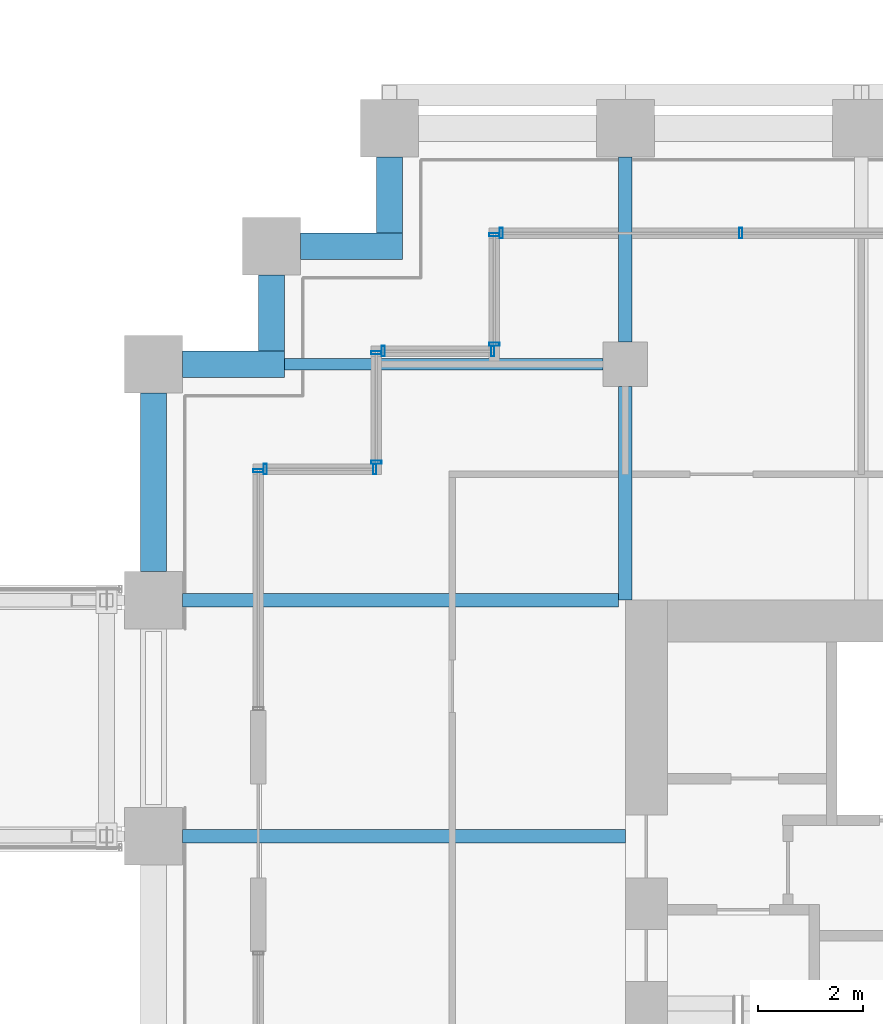
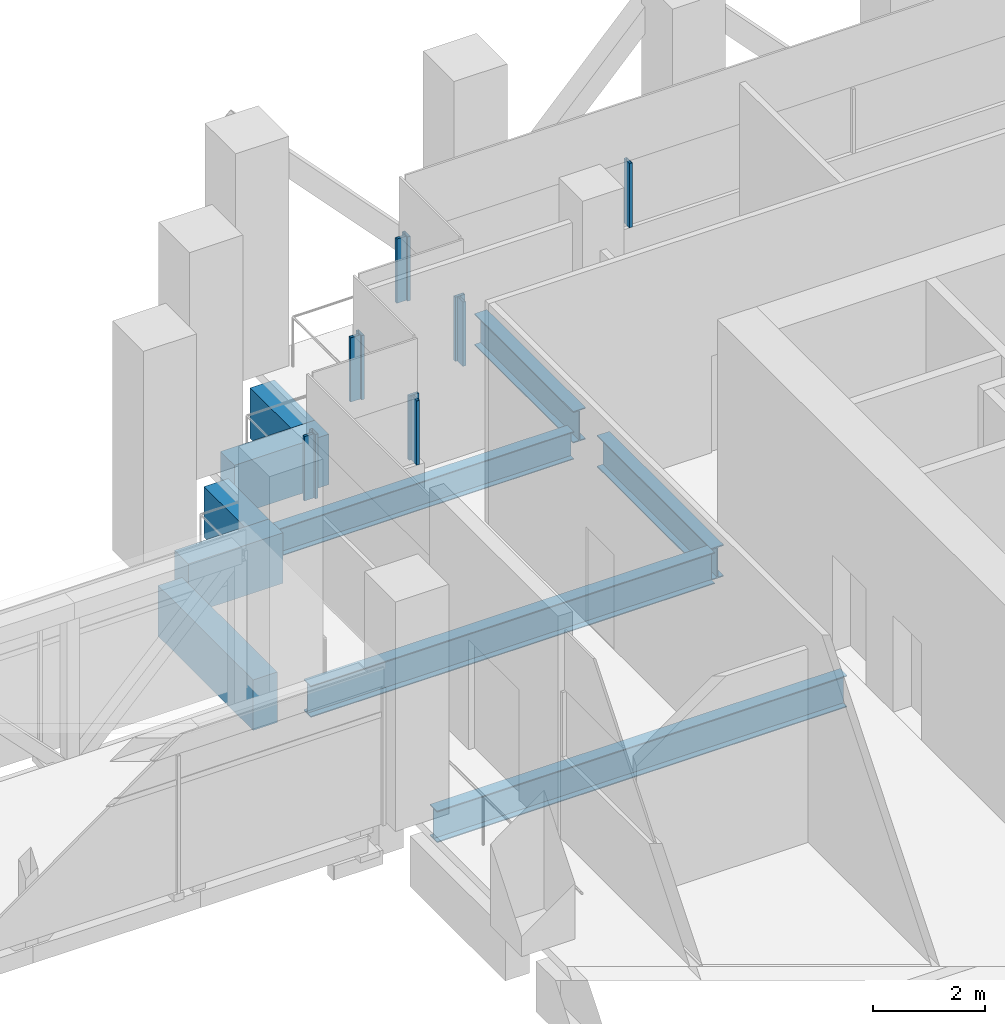
# One storey, part 29 of 44: 11 members, 10 beams, 6 elements without a shape of their own.
"""IFC4 building model written with IfcOpenShell, lengths in metres."""

import ifcopenshell
import ifcopenshell.guid

model = None  # the IFC model being written
_history = None  # IfcOwnerHistory: only IFC2X3 demands one
_inside = {}  # id of a spatial element -> (the spatial element, [elements in it])
_under = {}  # id of a project, library or spatial element -> (it, [spatial elements below it])
_declared = {}  # id of a project -> (the project, [libraries it declares])
_typed = {}  # id of a type object -> (the type object, [elements of that type])
_made_of = {}  # id of a material, layer set ... -> (it, [elements and type objects made of it])


def new_model(schema):
    """Start an empty IFC model of exactly this schema.

    Asked for "IFC4X3", IfcOpenShell would pick the latest addendum, in which some entities
    have other attributes; the version numbers below select the first issue.
    IFC2X3 requires an IfcOwnerHistory on every rooted entity: one is made here for all.
    """
    global model, _history
    if schema == "IFC4X3":
        model = ifcopenshell.file(schema_version=(4, 3, 0, 0))
    else:
        model = ifcopenshell.file(schema=schema)
    _inside.clear()
    _under.clear()
    _declared.clear()
    _typed.clear()
    _made_of.clear()
    _history = None
    if model.schema == "IFC2X3":
        org = make("IfcOrganization", Name="unknown")
        user = make(
            "IfcPersonAndOrganization",
            ThePerson=make("IfcPerson", FamilyName="unknown"),
            TheOrganization=org,
        )
        app = make(
            "IfcApplication",
            ApplicationDeveloper=org,
            Version="unknown",
            ApplicationFullName="unknown",
            ApplicationIdentifier="unknown",
        )
        _history = make(
            "IfcOwnerHistory",
            OwningUser=user,
            OwningApplication=app,
            ChangeAction="ADDED",
            CreationDate=0,
        )
    return model


def make(cls, **values):
    """One entity of the class cls with the attributes given. An attribute that is None is left unset."""
    return model.create_entity(
        cls, **{name: value for name, value in values.items() if value is not None}
    )


def rooted(cls, **values):
    """An entity with a GlobalId (a new one), such as an element, a storey or a relation."""
    return make(cls, GlobalId=ifcopenshell.guid.new(), OwnerHistory=_history, **values)


def si_unit(unit_type, name, prefix=None):
    """IfcSIUnit, for example si_unit("LENGTHUNIT", "METRE", prefix="MILLI")."""
    return make("IfcSIUnit", UnitType=unit_type, Prefix=prefix, Name=name)


def assignment(units):
    """IfcUnitAssignment: the units of a project."""
    return None if units is None else make("IfcUnitAssignment", Units=units)


def point(xyz):
    """IfcCartesianPoint."""
    return None if xyz is None else make("IfcCartesianPoint", Coordinates=xyz)


def direction(xyz):
    """IfcDirection."""
    return None if xyz is None else make("IfcDirection", DirectionRatios=xyz)


def frame(location, z_axis=None, x_axis=None):
    """IfcAxis2Placement3D, a coordinate frame: its origin and axes. An axis left out is left unset."""
    return make(
        "IfcAxis2Placement3D",
        Location=point(location),
        Axis=direction(z_axis),
        RefDirection=direction(x_axis),
    )


def frame_2d(location, x_axis=None):
    """IfcAxis2Placement2D, a coordinate frame in the plane: its origin and x axis."""
    return make(
        "IfcAxis2Placement2D", Location=point(location), RefDirection=direction(x_axis)
    )


def origin():
    """The frame at (0, 0, 0) with its axes left unset."""
    return frame((0.0, 0.0, 0.0))


def origin_2d():
    """The frame at (0, 0) in the plane with its x axis left unset."""
    return frame_2d((0.0, 0.0))


def place(relative_to, where):
    """IfcLocalPlacement: puts the frame where relative to a parent placement (None: the world)."""
    return make(
        "IfcLocalPlacement", PlacementRelTo=relative_to, RelativePlacement=where
    )


def context(
    kind, dimensions, precision=None, world=None, true_north=None, identifier=None
):
    """IfcGeometricRepresentationContext, for example the 3D "Model" context."""
    return make(
        "IfcGeometricRepresentationContext",
        ContextIdentifier=identifier,
        ContextType=kind,
        CoordinateSpaceDimension=dimensions,
        Precision=precision,
        WorldCoordinateSystem=world,
        TrueNorth=true_north,
    )


def subcontext(parent, identifier, kind, view, scale=None):
    """IfcGeometricRepresentationSubContext, for example "Body" below "Model"."""
    return make(
        "IfcGeometricRepresentationSubContext",
        ContextIdentifier=identifier,
        ContextType=kind,
        ParentContext=parent,
        TargetScale=scale,
        TargetView=view,
    )


def project(units=None, contexts=None):
    """IfcProject with its units and contexts."""
    return rooted(
        "IfcProject",
        Name="project",
        RepresentationContexts=contexts,
        UnitsInContext=assignment(units),
    )


def spatial(cls, under=None, at=None, **own):
    """A site, building, storey or space (cls), placed at a placement, below another one or the project."""
    s = rooted(cls, ObjectPlacement=at, **own)
    if under is not None:
        _under.setdefault(under.id(), (under, []))[1].append(s)
    return s


def profile(cls, at=None, kind="AREA", **sizes):
    """A parametric profile (cls). Its sizes go by their IFC names, for example OverallWidth=200.0."""
    return make(cls, ProfileType=kind, Position=at, **sizes)


def rectangle(**sizes):
    """IfcRectangleProfileDef."""
    return profile("IfcRectangleProfileDef", **sizes)


def hollow_rectangle(**sizes):
    """IfcRectangleHollowProfileDef."""
    return profile("IfcRectangleHollowProfileDef", **sizes)


def i_section(**sizes):
    """IfcIShapeProfileDef."""
    return profile("IfcIShapeProfileDef", **sizes)


def extrude(swept, where, along, depth):
    """IfcExtrudedAreaSolid: the profile swept, set in the frame where, extruded along a direction by depth."""
    return make(
        "IfcExtrudedAreaSolid",
        SweptArea=swept,
        Position=where,
        ExtrudedDirection=direction(along),
        Depth=depth,
    )


def shape(context_of_items, identifier, shape_type, items):
    """IfcShapeRepresentation: the items that make up one representation, for example the "Body"."""
    return make(
        "IfcShapeRepresentation",
        ContextOfItems=context_of_items,
        RepresentationIdentifier=identifier,
        RepresentationType=shape_type,
        Items=items,
    )


def material(Name=None, Category=None):
    """IfcMaterial."""
    return make("IfcMaterial", Name=Name, Category=Category)


def material_profile(
    of_material, cross_section, Name=None, Category=None, Priority=None
):
    """IfcMaterialProfile: a cross section and its material."""
    return make(
        "IfcMaterialProfile",
        Name=Name,
        Material=of_material,
        Profile=cross_section,
        Priority=Priority,
        Category=Category,
    )


def profile_set(profiles, Name=None, composite=None):
    """IfcMaterialProfileSet."""
    return make(
        "IfcMaterialProfileSet",
        Name=Name,
        MaterialProfiles=profiles,
        CompositeProfile=composite,
    )


def made_of(thing, what):
    """Note that an element or type object is made of a material, layer set ...; save() writes the relation."""
    if what is not None:
        _made_of.setdefault(what.id(), (what, []))[1].append(thing)
    return thing


def type_object(cls, material=None, **own):
    """A type object (cls), such as IfcWallType, which elements share."""
    return made_of(rooted(cls, **own), material)


def element(
    cls,
    number,
    at=None,
    inside=None,
    cuts=None,
    type_object=None,
    material=None,
    context=None,
    identifier="Body",
    shape_type=None,
    held_by="IfcProductDefinitionShape",
    body=None,
    shapes=None,
    **own,
):
    """One element of the class cls, such as IfcWall. Its Tag is "e" and its number.

    at: its placement. inside: the storey or other place that contains it. cuts: it is an
    opening in that element (IfcRelVoidsElement). A single representation is given by context,
    identifier, shape_type and body (its items); several are given by shapes. held_by: the class
    of the entity that holds the representations. save() writes the other relations.
    """
    e = rooted(cls, Tag="e%d" % number, ObjectPlacement=at, **own)
    if body is not None:
        shapes = [shape(context, identifier, shape_type, body)]
    if shapes is not None:
        e.Representation = make(held_by, Representations=shapes)
    if inside is not None:
        _inside.setdefault(inside.id(), (inside, []))[1].append(e)
    if cuts is not None:
        rooted(
            "IfcRelVoidsElement", RelatingBuildingElement=cuts, RelatedOpeningElement=e
        )
    if type_object is not None:
        _typed.setdefault(type_object.id(), (type_object, []))[1].append(e)
    return made_of(e, material)


def aggregate(whole, parts):
    """IfcRelAggregates: a whole, such as a stair, and the parts it consists of."""
    return rooted("IfcRelAggregates", RelatingObject=whole, RelatedObjects=parts)


def save(model, path):
    """Write the relations noted so far, then the file.

    IfcRelAggregates (storeys below a building ...), IfcRelContainedInSpatialStructure (elements
    in a storey), IfcRelDefinesByType, IfcRelAssociatesMaterial and IfcRelDeclares: one each for
    every whole, place, type object, material and project.
    """
    for whole, parts in _under.values():
        aggregate(whole, parts)
    for where, things in _inside.values():
        rooted(
            "IfcRelContainedInSpatialStructure",
            RelatedElements=things,
            RelatingStructure=where,
        )
    for kind, things in _typed.values():
        rooted("IfcRelDefinesByType", RelatedObjects=things, RelatingType=kind)
    for what, things in _made_of.values():
        rooted("IfcRelAssociatesMaterial", RelatedObjects=things, RelatingMaterial=what)
    for by, libraries in _declared.values():
        rooted("IfcRelDeclares", RelatingContext=by, RelatedDefinitions=libraries)
    model.write(path)


model = new_model("IFC4")

# Units and contexts
model_context = context("Model", 3, precision=1e-05, world=origin(), true_north=direction((0.0, 1.0)))
body_context = subcontext(model_context, "Body", "Model", "MODEL_VIEW")
ifc_project = project(units=[si_unit("LENGTHUNIT", "METRE"), si_unit("AREAUNIT", "SQUARE_METRE"), si_unit("VOLUMEUNIT", "CUBIC_METRE"), si_unit("PLANEANGLEUNIT", "RADIAN"), si_unit("MASSUNIT", "GRAM", prefix="KILO")], contexts=[model_context])

# Site, building, storey
site_placement = place(None, origin())
site = spatial("IfcSite", under=ifc_project, at=site_placement, CompositionType="ELEMENT")
building_placement = place(site_placement, origin())
building = spatial("IfcBuilding", under=site, at=building_placement, Name="Altepetl Exchange Towers", CompositionType="ELEMENT")
storey_placement = place(building_placement, frame((0.0, 0.0, 87.0)))
storey = spatial("IfcBuildingStorey", under=building, at=storey_placement, Name="L21 Refuge", CompositionType="ELEMENT", Elevation=87.0)

# Beams
ifc_material_1 = material(Name="Steel S355", Category="steel")
ifc_material_profile_1 = material_profile(ifc_material_1, i_section(OverallWidth=0.22802734375, OverallDepth=0.60791015625, WebThickness=0.01123046875, FlangeThickness=0.017333984375, at=origin_2d()), Name="W24X76")
ifc_profile_set_1 = profile_set([ifc_material_profile_1], Name="Steel S355")
beam_type_1 = type_object("IfcBeamType", Name="Floor beam W24X76", PredefinedType="BEAM", material=ifc_profile_set_1)
beam_1_placement = place(storey_placement, frame((97.0, 54.0, -0.50390625), z_axis=(1.0, 0.0, 0.0), x_axis=(0.0, 1.0, 0.0)))
element("IfcBeam", 1, at=beam_1_placement, inside=storey, type_object=beam_type_1, Name="bm:B:L21:015", PredefinedType="BEAM", context=body_context, shape_type="SweptSolid", body=[
    extrude(i_section(OverallWidth=0.22802734375, OverallDepth=0.60791015625, WebThickness=0.01123046875, FlangeThickness=0.017333984375, at=origin_2d()), origin(), (0.0, 0.0, 1.0), 6.074951171875),
])
ifc_material_profile_2 = material_profile(ifc_material_1, i_section(OverallWidth=0.25390625, OverallDepth=0.68798828125, WebThickness=0.01318359375, FlangeThickness=0.02099609375, at=origin_2d()), Name="W27X102")
ifc_profile_set_2 = profile_set([ifc_material_profile_2], Name="Steel S355")
beam_type_2 = type_object("IfcBeamType", Name="Floor beam W27X102", PredefinedType="BEAM", material=ifc_profile_set_2)
beam_2_placement = place(storey_placement, frame((95.050048828125, 45.0, -0.5439453125), z_axis=(1.0, 0.0, 0.0), x_axis=(0.0, 1.0, 0.0)))
element("IfcBeam", 2, at=beam_2_placement, inside=storey, type_object=beam_type_2, Name="bm:B:L21:013", PredefinedType="BEAM", context=body_context, shape_type="SweptSolid", body=[
    extrude(i_section(OverallWidth=0.25390625, OverallDepth=0.68798828125, WebThickness=0.01318359375, FlangeThickness=0.02099609375, at=origin_2d()), origin(), (0.0, 0.0, 1.0), 8.449951171875),
])
beam_3_placement = place(storey_placement, frame((95.050048828125, 49.5, -0.5439453125), z_axis=(1.0, 0.0, 0.0), x_axis=(0.0, 1.0, 0.0)))
element("IfcBeam", 3, at=beam_3_placement, inside=storey, type_object=beam_type_2, Name="bm:B:L21:014", PredefinedType="BEAM", context=body_context, shape_type="SweptSolid", body=[
    extrude(i_section(OverallWidth=0.25390625, OverallDepth=0.68798828125, WebThickness=0.01318359375, FlangeThickness=0.02099609375, at=origin_2d()), origin(), (0.0, 0.0, 1.0), 8.322021484375),
])
ifc_material_profile_3 = material_profile(ifc_material_1, i_section(OverallWidth=0.256103515625, OverallDepth=0.69189453125, WebThickness=0.014404296875, FlangeThickness=0.02294921875, at=origin_2d()), Name="W27X114")
ifc_profile_set_3 = profile_set([ifc_material_profile_3], Name="Steel S355")
beam_type_3 = type_object("IfcBeamType", Name="Girder W27X114", PredefinedType="BEAM", material=ifc_profile_set_3)
beam_4_placement = place(storey_placement, frame((103.5, 57.949951171875, -0.5458984375), z_axis=(0.0, -1.0, 0.0), x_axis=(1.0, 0.0, 0.0)))
element("IfcBeam", 4, at=beam_4_placement, inside=storey, type_object=beam_type_3, Name="gd:B:L21:002", PredefinedType="BEAM", context=body_context, shape_type="SweptSolid", body=[
    extrude(i_section(OverallWidth=0.256103515625, OverallDepth=0.69189453125, WebThickness=0.014404296875, FlangeThickness=0.02294921875, at=origin_2d()), origin(), (0.0, 0.0, 1.0), 3.52490234375),
])
beam_5_placement = place(storey_placement, frame((103.5, 53.574951171875, -0.5458984375), z_axis=(0.0, -1.0, 0.0), x_axis=(1.0, 0.0, 0.0)))
element("IfcBeam", 5, at=beam_5_placement, inside=storey, type_object=beam_type_3, Name="gd:B:L21:003", PredefinedType="BEAM", context=body_context, shape_type="SweptSolid", body=[
    extrude(i_section(OverallWidth=0.256103515625, OverallDepth=0.69189453125, WebThickness=0.014404296875, FlangeThickness=0.02294921875, at=origin_2d()), origin(), (0.0, 0.0, 1.0), 4.074951171875),
])

# Curtain wall, members
ifc_material_2 = material(Name="Aluminium 6063-T6 glazing", Category="aluminium")
curtain_wall_type = type_object("IfcCurtainWallType", Name="Refuge slit glazing system", PredefinedType="NOTDEFINED", material=ifc_material_2)
curtain_wall_1_placement = place(storey_placement, origin())
curtain_wall_1 = element("IfcCurtainWall", 6, at=curtain_wall_1_placement, inside=storey, type_object=curtain_wall_type, Name="CW3 run", PredefinedType="NOTDEFINED")
ifc_material_3 = material(Name="Aluminium 6063-T6", Category="aluminium")
ifc_material_profile_4 = material_profile(ifc_material_3, hollow_rectangle(XDim=0.06005859375, YDim=0.199951171875, WallThickness=0.0029296875, at=origin_2d()), Name="Mullion 60x200 aluminium")
ifc_profile_set_4 = profile_set([ifc_material_profile_4], Name="Aluminium 6063-T6")
member_type = type_object("IfcMemberType", Name="Mullion 60x200 aluminium", PredefinedType="MULLION", material=ifc_profile_set_4)
member_1_placement = place(storey_placement, frame((98.719970703125, 52.0, 1.800048828125), z_axis=(0.0, 0.0, 1.0), x_axis=(-1.0, 0.0, 0.0)))
member_1 = element("IfcMember", 7, at=member_1_placement, type_object=member_type, Name="MU2 mullion", PredefinedType="MULLION", context=body_context, shape_type="SweptSolid", body=[
    extrude(hollow_rectangle(XDim=0.06005859375, YDim=0.199951171875, WallThickness=0.0029296875, at=origin_2d()), origin(), (0.0, 0.0, 1.0), 1.39990234375),
])
member_2_placement = place(storey_placement, frame((96.6298828125, 52.0, 1.800048828125), z_axis=(0.0, 0.0, 1.0), x_axis=(-1.0, 0.0, 0.0)))
member_2 = element("IfcMember", 8, at=member_2_placement, type_object=member_type, Name="MU2 mullion", PredefinedType="MULLION", context=body_context, shape_type="SweptSolid", body=[
    extrude(hollow_rectangle(XDim=0.06005859375, YDim=0.199951171875, WallThickness=0.0029296875, at=origin_2d()), origin(), (0.0, 0.0, 1.0), 1.39990234375),
])
aggregate(curtain_wall_1, [member_1, member_2])

# Curtain wall, member
curtain_wall_2_placement = place(storey_placement, origin())
curtain_wall_2 = element("IfcCurtainWall", 9, at=curtain_wall_2_placement, inside=storey, type_object=curtain_wall_type, Name="CW3 run", PredefinedType="NOTDEFINED")
member_3_placement = place(storey_placement, frame((96.5, 51.969970703125, 1.800048828125), z_axis=(0.0, 0.0, 1.0), x_axis=(0.0, -1.0, 0.0)))
member_3 = element("IfcMember", 10, at=member_3_placement, type_object=member_type, Name="MU2 mullion", PredefinedType="MULLION", context=body_context, shape_type="SweptSolid", body=[
    extrude(hollow_rectangle(XDim=0.06005859375, YDim=0.199951171875, WallThickness=0.0029296875, at=origin_2d()), origin(), (0.0, 0.0, 1.0), 1.39990234375),
])
aggregate(curtain_wall_2, [member_3])

# Curtain wall, members
curtain_wall_3_placement = place(storey_placement, origin())
curtain_wall_3 = element("IfcCurtainWall", 11, at=curtain_wall_3_placement, inside=storey, type_object=curtain_wall_type, Name="CW3 run", PredefinedType="NOTDEFINED")
member_4_placement = place(storey_placement, frame((105.699951171875, 56.5, 1.800048828125), z_axis=(0.0, 0.0, 1.0), x_axis=(-1.0, 0.0, 0.0)))
member_4 = element("IfcMember", 12, at=member_4_placement, type_object=member_type, Name="MU2 mullion", PredefinedType="MULLION", context=body_context, shape_type="SweptSolid", body=[
    extrude(hollow_rectangle(XDim=0.06005859375, YDim=0.199951171875, WallThickness=0.0029296875, at=origin_2d()), origin(), (0.0, 0.0, 1.0), 1.39990234375),
])
member_5_placement = place(storey_placement, frame((101.1298828125, 56.5, 1.800048828125), z_axis=(0.0, 0.0, 1.0), x_axis=(-1.0, 0.0, 0.0)))
member_5 = element("IfcMember", 13, at=member_5_placement, type_object=member_type, Name="MU2 mullion", PredefinedType="MULLION", context=body_context, shape_type="SweptSolid", body=[
    extrude(hollow_rectangle(XDim=0.06005859375, YDim=0.199951171875, WallThickness=0.0029296875, at=origin_2d()), origin(), (0.0, 0.0, 1.0), 1.39990234375),
])
aggregate(curtain_wall_3, [member_4, member_5])

curtain_wall_4_placement = place(storey_placement, origin())
curtain_wall_4 = element("IfcCurtainWall", 14, at=curtain_wall_4_placement, inside=storey, type_object=curtain_wall_type, Name="CW3 run", PredefinedType="NOTDEFINED")
member_6_placement = place(storey_placement, frame((101.0, 56.469970703125, 1.800048828125), z_axis=(0.0, 0.0, 1.0), x_axis=(0.0, -1.0, 0.0)))
member_6 = element("IfcMember", 15, at=member_6_placement, type_object=member_type, Name="MU2 mullion", PredefinedType="MULLION", context=body_context, shape_type="SweptSolid", body=[
    extrude(hollow_rectangle(XDim=0.06005859375, YDim=0.199951171875, WallThickness=0.0029296875, at=origin_2d()), origin(), (0.0, 0.0, 1.0), 1.39990234375),
])
member_7_placement = place(storey_placement, frame((101.0, 54.3798828125, 1.800048828125), z_axis=(0.0, 0.0, 1.0), x_axis=(0.0, -1.0, 0.0)))
member_7 = element("IfcMember", 16, at=member_7_placement, type_object=member_type, Name="MU2 mullion", PredefinedType="MULLION", context=body_context, shape_type="SweptSolid", body=[
    extrude(hollow_rectangle(XDim=0.06005859375, YDim=0.199951171875, WallThickness=0.0029296875, at=origin_2d()), origin(), (0.0, 0.0, 1.0), 1.39990234375),
])
aggregate(curtain_wall_4, [member_6, member_7])

curtain_wall_5_placement = place(storey_placement, origin())
curtain_wall_5 = element("IfcCurtainWall", 17, at=curtain_wall_5_placement, inside=storey, type_object=curtain_wall_type, Name="CW3 run", PredefinedType="NOTDEFINED")
member_8_placement = place(storey_placement, frame((100.969970703125, 54.25, 1.800048828125), z_axis=(0.0, 0.0, 1.0), x_axis=(-1.0, 0.0, 0.0)))
member_8 = element("IfcMember", 18, at=member_8_placement, type_object=member_type, Name="MU2 mullion", PredefinedType="MULLION", context=body_context, shape_type="SweptSolid", body=[
    extrude(hollow_rectangle(XDim=0.06005859375, YDim=0.199951171875, WallThickness=0.0029296875, at=origin_2d()), origin(), (0.0, 0.0, 1.0), 1.39990234375),
])
member_9_placement = place(storey_placement, frame((98.8798828125, 54.25, 1.800048828125), z_axis=(0.0, 0.0, 1.0), x_axis=(-1.0, 0.0, 0.0)))
member_9 = element("IfcMember", 19, at=member_9_placement, type_object=member_type, Name="MU2 mullion", PredefinedType="MULLION", context=body_context, shape_type="SweptSolid", body=[
    extrude(hollow_rectangle(XDim=0.06005859375, YDim=0.199951171875, WallThickness=0.0029296875, at=origin_2d()), origin(), (0.0, 0.0, 1.0), 1.39990234375),
])
aggregate(curtain_wall_5, [member_8, member_9])

curtain_wall_6_placement = place(storey_placement, origin())
curtain_wall_6 = element("IfcCurtainWall", 20, at=curtain_wall_6_placement, inside=storey, type_object=curtain_wall_type, Name="CW3 run", PredefinedType="NOTDEFINED")
member_10_placement = place(storey_placement, frame((98.75, 54.219970703125, 1.800048828125), z_axis=(0.0, 0.0, 1.0), x_axis=(0.0, -1.0, 0.0)))
member_10 = element("IfcMember", 21, at=member_10_placement, type_object=member_type, Name="MU2 mullion", PredefinedType="MULLION", context=body_context, shape_type="SweptSolid", body=[
    extrude(hollow_rectangle(XDim=0.06005859375, YDim=0.199951171875, WallThickness=0.0029296875, at=origin_2d()), origin(), (0.0, 0.0, 1.0), 1.39990234375),
])
member_11_placement = place(storey_placement, frame((98.75, 52.1298828125, 1.800048828125), z_axis=(0.0, 0.0, 1.0), x_axis=(0.0, -1.0, 0.0)))
member_11 = element("IfcMember", 22, at=member_11_placement, type_object=member_type, Name="MU2 mullion", PredefinedType="MULLION", context=body_context, shape_type="SweptSolid", body=[
    extrude(hollow_rectangle(XDim=0.06005859375, YDim=0.199951171875, WallThickness=0.0029296875, at=origin_2d()), origin(), (0.0, 0.0, 1.0), 1.39990234375),
])
aggregate(curtain_wall_6, [member_10, member_11])

# Beams
ifc_material_4 = material(Name="Concrete C50/60 precast with cantera rosa facing", Category="concrete")
ifc_material_profile_5 = material_profile(ifc_material_4, rectangle(XDim=0.5, YDim=1.10009765625, at=origin_2d()), Name="500 x 1100")
ifc_profile_set_5 = profile_set([ifc_material_profile_5], Name="Concrete C50/60 precast with cantera rosa facing")
beam_type_4 = type_object("IfcBeamType", Name="Spandrel beam 500x1100 cantera rosa", PredefinedType="SPANDREL", material=ifc_profile_set_5)
beam_6_placement = place(storey_placement, frame((99.0, 57.949951171875, -0.75), z_axis=(0.0, -1.0, 0.0), x_axis=(1.0, 0.0, 0.0)))
element("IfcBeam", 23, at=beam_6_placement, inside=storey, type_object=beam_type_4, Name="sp:B:L21:023", PredefinedType="SPANDREL", context=body_context, shape_type="SweptSolid", body=[
    extrude(rectangle(XDim=0.5, YDim=1.10009765625, at=origin_2d()), origin(), (0.0, 0.0, 1.0), 1.449951171875),
])
beam_7_placement = place(storey_placement, frame((99.25, 56.25, -0.75), z_axis=(-1.0, 0.0, 0.0), x_axis=(0.0, -1.0, 0.0)))
element("IfcBeam", 24, at=beam_7_placement, inside=storey, type_object=beam_type_4, Name="sp:B:L21:024", PredefinedType="SPANDREL", context=body_context, shape_type="SweptSolid", body=[
    extrude(rectangle(XDim=0.5, YDim=1.10009765625, at=origin_2d()), origin(), (0.0, 0.0, 1.0), 1.949951171875),
])
beam_8_placement = place(storey_placement, frame((96.75, 55.699951171875, -0.75), z_axis=(0.0, -1.0, 0.0), x_axis=(1.0, 0.0, 0.0)))
element("IfcBeam", 25, at=beam_8_placement, inside=storey, type_object=beam_type_4, Name="sp:B:L21:025", PredefinedType="SPANDREL", context=body_context, shape_type="SweptSolid", body=[
    extrude(rectangle(XDim=0.5, YDim=1.10009765625, at=origin_2d()), origin(), (0.0, 0.0, 1.0), 1.449951171875),
])
beam_9_placement = place(storey_placement, frame((97.0, 54.0, -0.75), z_axis=(-1.0, 0.0, 0.0), x_axis=(0.0, -1.0, 0.0)))
element("IfcBeam", 26, at=beam_9_placement, inside=storey, type_object=beam_type_4, Name="sp:B:L21:026", PredefinedType="SPANDREL", context=body_context, shape_type="SweptSolid", body=[
    extrude(rectangle(XDim=0.5, YDim=1.10009765625, at=origin_2d()), origin(), (0.0, 0.0, 1.0), 1.949951171875),
])
beam_10_placement = place(storey_placement, frame((94.5, 53.449951171875, -0.75), z_axis=(0.0, -1.0, 0.0), x_axis=(1.0, 0.0, 0.0)))
element("IfcBeam", 27, at=beam_10_placement, inside=storey, type_object=beam_type_4, Name="sp:B:L21:027", PredefinedType="SPANDREL", context=body_context, shape_type="SweptSolid", body=[
    extrude(rectangle(XDim=0.5, YDim=1.10009765625, at=origin_2d()), origin(), (0.0, 0.0, 1.0), 3.39990234375),
])

save(model, "model.ifc")
